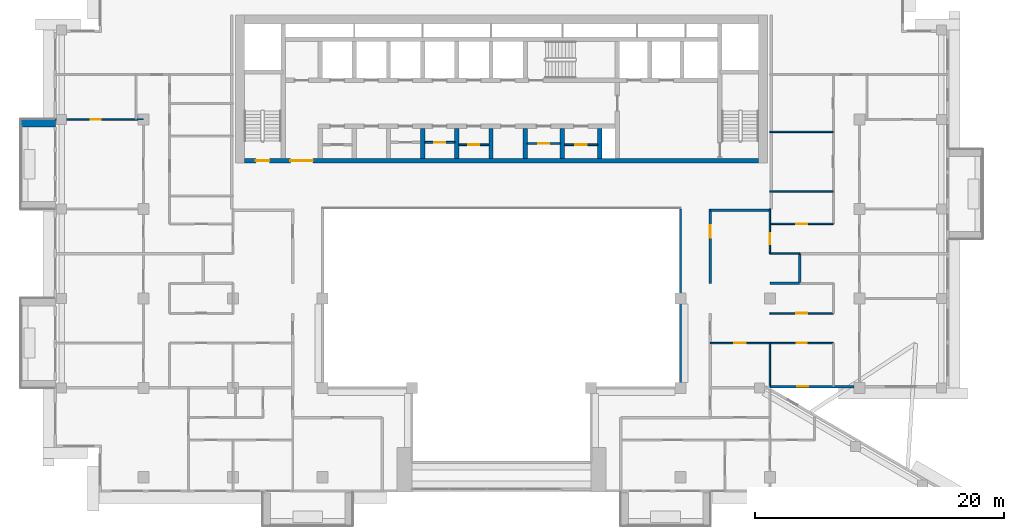
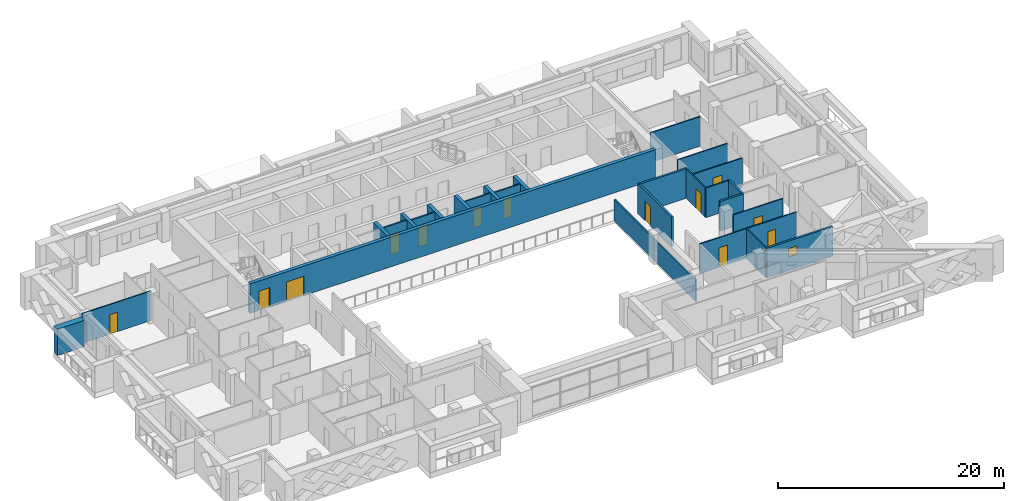
# One storey, part 9 of 20: 27 walls, 13 doors, 1 window, 14 openings.
"""IFC4 building model written with IfcOpenShell, lengths in metres."""

from ifc_helpers import new_model, si_unit, direction, frame, frame_2d, origin, place, context, subcontext, project, spatial, rectangle, extrude, material, layer, layer_set, type_object, element, fill, save


model = new_model("IFC4")

# Units and contexts
model_context = context("Model", 3, precision=1e-05, world=origin(), true_north=direction((0.0, 1.0)))
body_context = subcontext(model_context, "Body", "Model", "MODEL_VIEW")
ifc_project = project(units=[si_unit("LENGTHUNIT", "METRE"), si_unit("AREAUNIT", "SQUARE_METRE"), si_unit("VOLUMEUNIT", "CUBIC_METRE"), si_unit("PLANEANGLEUNIT", "RADIAN"), si_unit("MASSUNIT", "GRAM", prefix="KILO")], contexts=[model_context])

# Site, building, storey
site_placement = place(None, origin())
site = spatial("IfcSite", under=ifc_project, at=site_placement, CompositionType="ELEMENT")
building_placement = place(site_placement, origin())
building = spatial("IfcBuilding", under=site, at=building_placement, Name="Saffron Iwan Residences", CompositionType="ELEMENT")
storey_placement = place(building_placement, frame((0.0, 0.0, 174.5)))
storey = spatial("IfcBuildingStorey", under=building, at=storey_placement, Name="L46", CompositionType="ELEMENT", Elevation=174.5)

# Walls
ifc_material_1 = material(Name="Fire-rated glazing", Category="glass")
ifc_layer_1 = layer(ifc_material_1, 0.14990234375)
ifc_layer_set_1 = layer_set([ifc_layer_1], Name="Fire-rated glazing")
wall_type_1 = type_object("IfcWallType", Name="Atrium glazed screen 150", PredefinedType="SOLIDWALL", material=ifc_layer_set_1)
wall_1_placement = place(storey_placement, frame((64.800048828125, 48.0, 0.0), z_axis=(0.0, 0.0, 1.0), x_axis=(0.0, 1.0, 0.0)))
element("IfcWall", 1, at=wall_1_placement, inside=storey, type_object=wall_type_1, Name="W-L46-SCREEN-v64.8-48", PredefinedType="SOLIDWALL", context=body_context, shape_type="SweptSolid", body=[
    extrude(rectangle(XDim=14.39990234375, YDim=0.14990234375, at=frame_2d((7.199951171875, 0.0))), origin(), (0.0, 0.0, 1.0), 2.300048828125),
])
ifc_material_2 = material(Name="Concrete C50/60 white painted", Category="concrete")
ifc_layer_2 = layer(ifc_material_2, 0.60009765625)
ifc_layer_set_2 = layer_set([ifc_layer_2], Name="Concrete C50/60 white painted")
wall_type_2 = type_object("IfcWallType", Name="BALCONY FIN 600", PredefinedType="SOLIDWALL", material=ifc_layer_set_2)
wall_2_placement = place(storey_placement, frame((14.5, 69.300048828125, 0.0), z_axis=(0.0, 0.0, 1.0), x_axis=(-1.0, 0.0, 0.0)))
element("IfcWall", 2, at=wall_2_placement, inside=storey, type_object=wall_type_2, Name="Balcony fin L46 F8-0a", PredefinedType="SOLIDWALL", context=body_context, shape_type="SweptSolid", body=[
    extrude(rectangle(XDim=2.800048828125, YDim=0.60009765625, at=frame_2d((1.39990234375, 0.0))), origin(), (0.0, 0.0, 1.0), 2.85009765625),
])

# Wall, opening, door
ifc_material_3 = material(Name="Fire-rated plasterboard partition")
ifc_layer_3 = layer(ifc_material_3, 0.14990234375)
ifc_layer_set_3 = layer_set([ifc_layer_3], Name="Fire-rated plasterboard partition")
wall_type_3 = type_object("IfcWallType", Name="Core partition 150", PredefinedType="PARTITIONING", material=ifc_layer_set_3)
wall_3_placement = place(storey_placement, frame((44.22509765625, 67.759521484375, 0.0), z_axis=(0.0, 0.0, 1.0), x_axis=(1.0, 0.0, 0.0)))
wall_3 = element("IfcWall", 3, at=wall_3_placement, inside=storey, type_object=wall_type_3, Name="Core partition P03", PredefinedType="PARTITIONING", context=body_context, shape_type="SweptSolid", body=[
    extrude(rectangle(XDim=2.39990234375, YDim=0.14990234375, at=frame_2d((1.199951171875, 0.0))), origin(), (0.0, 0.0, 1.0), 3.199951171875),
])
opening_1_placement = place(wall_3_placement, frame((0.75, 0.0, 0.0)))
opening_1 = element("IfcOpeningElement", 4, at=opening_1_placement, cuts=wall_3, Name="Opening SB", PredefinedType="OPENING", context=body_context, shape_type="SweptSolid", body=[
    extrude(rectangle(XDim=0.89990234375, YDim=2.10009765625, at=frame_2d((0.449951171875, 1.050048828125))), frame((0.0, 0.0849609375, 0.0), z_axis=(0.0, -1.0, 0.0), x_axis=(1.0, 0.0, 0.0)), (0.0, 0.0, 1.0), 0.169921875),
])
ifc_material_4 = material(Name="Steel fire door", Category="steel")
door_type_1 = type_object("IfcDoorType", Name="Store door 900", OperationType="NOTDEFINED", PredefinedType="DOOR", material=ifc_material_4)
door_1_placement = place(opening_1_placement, origin())
door_1 = element("IfcDoor", 5, at=door_1_placement, inside=storey, type_object=door_type_1, Name="Door Battery room", OperationType="SINGLE_SWING_RIGHT", OverallHeight=2.10009765625, OverallWidth=0.89990234375, PredefinedType="DOOR", context=body_context, shape_type="SweptSolid", body=[
    extrude(rectangle(XDim=0.89990234375, YDim=2.10009765625, at=frame_2d((0.449951171875, 1.050048828125))), frame((0.0, 0.02490234375, 0.0), z_axis=(0.0, -1.0, 0.0), x_axis=(1.0, 0.0, 0.0)), (0.0, 0.0, 1.0), 0.050048828125),
])
fill(opening_1, door_1)

wall_4_placement = place(storey_placement, frame((46.97509765625, 67.5654296875, 0.0), z_axis=(0.0, 0.0, 1.0), x_axis=(1.0, 0.0, 0.0)))
wall_4 = element("IfcWall", 6, at=wall_4_placement, inside=storey, type_object=wall_type_3, Name="Core partition P04", PredefinedType="PARTITIONING", context=body_context, shape_type="SweptSolid", body=[
    extrude(rectangle(XDim=2.39990234375, YDim=0.14990234375, at=frame_2d((1.199951171875, 0.0))), origin(), (0.0, 0.0, 1.0), 3.199951171875),
])
opening_2_placement = place(wall_4_placement, frame((0.75, 0.0, 0.0)))
opening_2 = element("IfcOpeningElement", 7, at=opening_2_placement, cuts=wall_4, Name="Opening SB", PredefinedType="OPENING", context=body_context, shape_type="SweptSolid", body=[
    extrude(rectangle(XDim=0.89990234375, YDim=2.10009765625, at=frame_2d((0.449951171875, 1.050048828125))), frame((0.0, 0.0849609375, 0.0), z_axis=(0.0, -1.0, 0.0), x_axis=(1.0, 0.0, 0.0)), (0.0, 0.0, 1.0), 0.169921875),
])
door_2_placement = place(opening_2_placement, origin())
door_2 = element("IfcDoor", 8, at=door_2_placement, inside=storey, type_object=door_type_1, Name="Door Records store", OperationType="SINGLE_SWING_RIGHT", OverallHeight=2.10009765625, OverallWidth=0.89990234375, PredefinedType="DOOR", context=body_context, shape_type="SweptSolid", body=[
    extrude(rectangle(XDim=0.89990234375, YDim=2.10009765625, at=frame_2d((0.449951171875, 1.050048828125))), frame((0.0, 0.02490234375, 0.0), z_axis=(0.0, -1.0, 0.0), x_axis=(1.0, 0.0, 0.0)), (0.0, 0.0, 1.0), 0.050048828125),
])
fill(opening_2, door_2)

wall_5_placement = place(storey_placement, frame((52.47509765625, 67.66259765625, 0.0), z_axis=(0.0, 0.0, 1.0), x_axis=(1.0, 0.0, 0.0)))
wall_5 = element("IfcWall", 9, at=wall_5_placement, inside=storey, type_object=wall_type_3, Name="Core partition P05", PredefinedType="PARTITIONING", context=body_context, shape_type="SweptSolid", body=[
    extrude(rectangle(XDim=2.64990234375, YDim=0.14990234375, at=frame_2d((1.324951171875, 0.0))), origin(), (0.0, 0.0, 1.0), 3.199951171875),
])
opening_3_placement = place(wall_5_placement, frame((0.875, 0.0, 0.0)))
opening_3 = element("IfcOpeningElement", 10, at=opening_3_placement, cuts=wall_5, Name="Opening SB", PredefinedType="OPENING", context=body_context, shape_type="SweptSolid", body=[
    extrude(rectangle(XDim=0.89990234375, YDim=2.10009765625, at=frame_2d((0.449951171875, 1.050048828125))), frame((0.0, 0.0849609375, 0.0), z_axis=(0.0, -1.0, 0.0), x_axis=(1.0, 0.0, 0.0)), (0.0, 0.0, 1.0), 0.169921875),
])
door_3_placement = place(opening_3_placement, origin())
door_3 = element("IfcDoor", 11, at=door_3_placement, inside=storey, type_object=door_type_1, Name="Door Mop store", OperationType="SINGLE_SWING_LEFT", OverallHeight=2.10009765625, OverallWidth=0.89990234375, PredefinedType="DOOR", context=body_context, shape_type="SweptSolid", body=[
    extrude(rectangle(XDim=0.89990234375, YDim=2.10009765625, at=frame_2d((0.449951171875, 1.050048828125))), frame((0.0, 0.02490234375, 0.0), z_axis=(0.0, -1.0, 0.0), x_axis=(1.0, 0.0, 0.0)), (0.0, 0.0, 1.0), 0.050048828125),
])
fill(opening_3, door_3)

wall_6_placement = place(storey_placement, frame((55.47509765625, 67.5654296875, 0.0), z_axis=(0.0, 0.0, 1.0), x_axis=(1.0, 0.0, 0.0)))
wall_6 = element("IfcWall", 12, at=wall_6_placement, inside=storey, type_object=wall_type_3, Name="Core partition P06", PredefinedType="PARTITIONING", context=body_context, shape_type="SweptSolid", body=[
    extrude(rectangle(XDim=2.64990234375, YDim=0.14990234375, at=frame_2d((1.324951171875, 0.0))), origin(), (0.0, 0.0, 1.0), 3.199951171875),
])
opening_4_placement = place(wall_6_placement, frame((0.875, 0.0, 0.0)))
opening_4 = element("IfcOpeningElement", 13, at=opening_4_placement, cuts=wall_6, Name="Opening SB", PredefinedType="OPENING", context=body_context, shape_type="SweptSolid", body=[
    extrude(rectangle(XDim=0.89990234375, YDim=2.10009765625, at=frame_2d((0.449951171875, 1.050048828125))), frame((0.0, 0.0849609375, 0.0), z_axis=(0.0, -1.0, 0.0), x_axis=(1.0, 0.0, 0.0)), (0.0, 0.0, 1.0), 0.169921875),
])
door_4_placement = place(opening_4_placement, origin())
door_4 = element("IfcDoor", 14, at=door_4_placement, inside=storey, type_object=door_type_1, Name="Door Spares store", OperationType="SINGLE_SWING_RIGHT", OverallHeight=2.10009765625, OverallWidth=0.89990234375, PredefinedType="DOOR", context=body_context, shape_type="SweptSolid", body=[
    extrude(rectangle(XDim=0.89990234375, YDim=2.10009765625, at=frame_2d((0.449951171875, 1.050048828125))), frame((0.0, 0.02490234375, 0.0), z_axis=(0.0, -1.0, 0.0), x_axis=(1.0, 0.0, 0.0)), (0.0, 0.0, 1.0), 0.050048828125),
])
fill(opening_4, door_4)

# Wall, opening, window
ifc_material_5 = material(Name="Concrete C40/50", Category="concrete")
ifc_layer_4 = layer(ifc_material_5, 0.199951171875)
ifc_layer_set_4 = layer_set([ifc_layer_4], Name="Concrete C40/50")
wall_type_4 = type_object("IfcWallType", Name="EXTERNAL WALL 200", PredefinedType="SOLIDWALL", material=ifc_layer_set_4)
wall_7_placement = place(storey_placement, frame((71.989990234375, 48.10009765625, 0.0), z_axis=(0.0, 0.0, 1.0), x_axis=(1.0, 0.0, 0.0)))
wall_7 = element("IfcWall", 15, at=wall_7_placement, inside=storey, type_object=wall_type_4, Name="External wall L46 F1.0", PredefinedType="SOLIDWALL", context=body_context, shape_type="SweptSolid", body=[
    extrude(rectangle(XDim=6.760009765625, YDim=0.199951171875, at=frame_2d((3.3798828125, 0.0))), origin(), (0.0, 0.0, 1.0), 3.199951171875),
])
opening_5_placement = place(wall_7_placement, frame((2.204833984375, 0.0, 1.5)))
opening_5 = element("IfcOpeningElement", 16, at=opening_5_placement, cuts=wall_7, Name="Opening W6", PredefinedType="OPENING", context=body_context, shape_type="SweptSolid", body=[
    extrude(rectangle(XDim=0.89990234375, YDim=0.89990234375, at=frame_2d((0.449951171875, 0.449951171875))), frame((0.0, 0.10986328125, 0.0), z_axis=(0.0, -1.0, 0.0), x_axis=(1.0, 0.0, 0.0)), (0.0, 0.0, 1.0), 0.219970703125),
])
ifc_material_6 = material(Name="Clear glass, laminated double glazed", Category="glass")
window_type = type_object("IfcWindowType", Name="WINDOW 900 x 900 BATH", PartitioningType="SINGLE_PANEL", PredefinedType="WINDOW", material=ifc_material_6)
window_placement = place(opening_5_placement, origin())
window = element("IfcWindow", 17, at=window_placement, inside=storey, type_object=window_type, Name="Window L46 F1.0", OverallHeight=0.89990234375, OverallWidth=0.89990234375, PartitioningType="SINGLE_PANEL", PredefinedType="WINDOW", context=body_context, shape_type="SweptSolid", body=[
    extrude(rectangle(XDim=0.89990234375, YDim=0.89990234375, at=frame_2d((0.449951171875, 0.449951171875))), frame((0.0, 0.030029296875, 0.0), z_axis=(0.0, -1.0, 0.0), x_axis=(1.0, 0.0, 0.0)), (0.0, 0.0, 1.0), 0.06005859375),
])
fill(opening_5, window)

# Walls
ifc_material_7 = material(Name="Fire-rated gypsum board wall")
ifc_layer_5 = layer(ifc_material_7, 0.199951171875)
ifc_layer_set_5 = layer_set([ifc_layer_5], Name="Fire-rated gypsum board wall")
wall_type_5 = type_object("IfcWallType", Name="Flat demising wall 200", PredefinedType="SOLIDWALL", material=ifc_layer_set_5)
wall_8_placement = place(storey_placement, frame((72.0, 56.39990234375, 0.0), z_axis=(0.0, 0.0, 1.0), x_axis=(1.0, 0.0, 0.0)))
element("IfcWall", 18, at=wall_8_placement, inside=storey, type_object=wall_type_5, Name="W-L46-DEMISE-h56.4-72", PredefinedType="SOLIDWALL", context=body_context, shape_type="SweptSolid", body=[
    extrude(rectangle(XDim=2.39990234375, YDim=0.199951171875, at=frame_2d((1.199951171875, 0.0))), origin(), (0.0, 0.0, 1.0), 3.199951171875),
])
wall_9_placement = place(storey_placement, frame((74.39990234375, 56.39990234375, 0.0), z_axis=(0.0, 0.0, 1.0), x_axis=(0.0, 1.0, 0.0)))
element("IfcWall", 19, at=wall_9_placement, inside=storey, type_object=wall_type_5, Name="W-L46-DEMISE-v74.4-56.4", PredefinedType="SOLIDWALL", context=body_context, shape_type="SweptSolid", body=[
    extrude(rectangle(XDim=2.400146484375, YDim=0.199951171875, at=frame_2d((1.2001953125, 0.0))), origin(), (0.0, 0.0, 1.0), 3.199951171875),
])

# Wall, openings, doors
ifc_material_8 = material(Name="Gypsum board partition")
ifc_layer_6 = layer(ifc_material_8, 0.1201171875)
ifc_layer_set_6 = layer_set([ifc_layer_6], Name="Gypsum board partition")
wall_type_6 = type_object("IfcWallType", Name="Flat partition 120", PredefinedType="PARTITIONING", material=ifc_layer_set_6)
wall_10_placement = place(storey_placement, frame((67.199951171875, 51.60009765625, 0.0), z_axis=(0.0, 0.0, 1.0), x_axis=(1.0, 0.0, 0.0)))
wall_10 = element("IfcWall", 20, at=wall_10_placement, inside=storey, type_object=wall_type_6, Name="W-L46-PART-h51.6-67.2", PredefinedType="PARTITIONING", context=body_context, shape_type="SweptSolid", body=[
    extrude(rectangle(XDim=9.900146484375, YDim=0.1201171875, at=frame_2d((4.9501953125, 0.0))), origin(), (0.0, 0.0, 1.0), 3.199951171875),
])
opening_6_placement = place(wall_10_placement, frame((6.949951171875, 0.0, 0.0)))
opening_6 = element("IfcOpeningElement", 21, at=opening_6_placement, cuts=wall_10, Name="Opening FD3", PredefinedType="OPENING", context=body_context, shape_type="SweptSolid", body=[
    extrude(rectangle(XDim=0.800048828125, YDim=2.10009765625, at=frame_2d((0.39990234375, 1.050048828125))), frame((0.0, 0.070068359375, 0.0), z_axis=(0.0, -1.0, 0.0), x_axis=(1.0, 0.0, 0.0)), (0.0, 0.0, 1.0), 0.14013671875),
])
opening_7_placement = place(wall_10_placement, frame((1.949951171875, 0.0, 0.0)))
opening_7 = element("IfcOpeningElement", 22, at=opening_7_placement, cuts=wall_10, Name="Opening FD2", PredefinedType="OPENING", context=body_context, shape_type="SweptSolid", body=[
    extrude(rectangle(XDim=0.89990234375, YDim=2.10009765625, at=frame_2d((0.449951171875, 1.050048828125))), frame((0.0, 0.070068359375, 0.0), z_axis=(0.0, -1.0, 0.0), x_axis=(1.0, 0.0, 0.0)), (0.0, 0.0, 1.0), 0.14013671875),
])
ifc_material_9 = material(Name="Timber door", Category="wood")
door_type_2 = type_object("IfcDoorType", Name="Bathroom door 800", OperationType="NOTDEFINED", PredefinedType="DOOR", material=ifc_material_9)
door_5_placement = place(opening_6_placement, origin())
door_5 = element("IfcDoor", 23, at=door_5_placement, inside=storey, type_object=door_type_2, Name="Door L46-017", OperationType="SINGLE_SWING_LEFT", OverallHeight=2.10009765625, OverallWidth=0.800048828125, PredefinedType="DOOR", context=body_context, shape_type="SweptSolid", body=[
    extrude(rectangle(XDim=0.800048828125, YDim=2.10009765625, at=frame_2d((0.39990234375, 1.050048828125))), frame((0.0, 0.02490234375, 0.0), z_axis=(0.0, -1.0, 0.0), x_axis=(1.0, 0.0, 0.0)), (0.0, 0.0, 1.0), 0.050048828125),
])
fill(opening_6, door_5)
door_type_3 = type_object("IfcDoorType", Name="Flat door 900", OperationType="NOTDEFINED", PredefinedType="DOOR", material=ifc_material_9)
door_6_placement = place(opening_7_placement, origin())
door_6 = element("IfcDoor", 24, at=door_6_placement, inside=storey, type_object=door_type_3, Name="Door L46-019", OperationType="SINGLE_SWING_LEFT", OverallHeight=2.10009765625, OverallWidth=0.89990234375, PredefinedType="DOOR", context=body_context, shape_type="SweptSolid", body=[
    extrude(rectangle(XDim=0.89990234375, YDim=2.10009765625, at=frame_2d((0.449951171875, 1.050048828125))), frame((0.0, 0.02490234375, 0.0), z_axis=(0.0, -1.0, 0.0), x_axis=(1.0, 0.0, 0.0)), (0.0, 0.0, 1.0), 0.050048828125),
])
fill(opening_7, door_6)

# Wall, opening, door
wall_11_placement = place(storey_placement, frame((72.0, 54.0, 0.0), z_axis=(0.0, 0.0, 1.0), x_axis=(1.0, 0.0, 0.0)))
wall_11 = element("IfcWall", 25, at=wall_11_placement, inside=storey, type_object=wall_type_6, Name="W-L46-PART-h54-72", PredefinedType="PARTITIONING", context=body_context, shape_type="SweptSolid", body=[
    extrude(rectangle(XDim=5.10009765625, YDim=0.1201171875, at=frame_2d((2.550048828125, 0.0))), origin(), (0.0, 0.0, 1.0), 3.199951171875),
])
opening_8_placement = place(wall_11_placement, frame((2.10009765625, 0.0, 0.0)))
opening_8 = element("IfcOpeningElement", 26, at=opening_8_placement, cuts=wall_11, Name="Opening FD2", PredefinedType="OPENING", context=body_context, shape_type="SweptSolid", body=[
    extrude(rectangle(XDim=0.89990234375, YDim=2.10009765625, at=frame_2d((0.449951171875, 1.050048828125))), frame((0.0, 0.070068359375, 0.0), z_axis=(0.0, -1.0, 0.0), x_axis=(1.0, 0.0, 0.0)), (0.0, 0.0, 1.0), 0.14013671875),
])
door_7_placement = place(opening_8_placement, origin())
door_7 = element("IfcDoor", 27, at=door_7_placement, inside=storey, type_object=door_type_3, Name="Door L46-018", OperationType="SINGLE_SWING_RIGHT", OverallHeight=2.10009765625, OverallWidth=0.89990234375, PredefinedType="DOOR", context=body_context, shape_type="SweptSolid", body=[
    extrude(rectangle(XDim=0.89990234375, YDim=2.10009765625, at=frame_2d((0.449951171875, 1.050048828125))), frame((0.0, 0.02490234375, 0.0), z_axis=(0.0, -1.0, 0.0), x_axis=(1.0, 0.0, 0.0)), (0.0, 0.0, 1.0), 0.050048828125),
])
fill(opening_8, door_7)

# Wall
wall_12_placement = place(storey_placement, frame((72.0, 58.800048828125, 0.0), z_axis=(0.0, 0.0, 1.0), x_axis=(1.0, 0.0, 0.0)))
element("IfcWall", 28, at=wall_12_placement, inside=storey, type_object=wall_type_6, Name="W-L46-PART-h58.8-72", PredefinedType="PARTITIONING", context=body_context, shape_type="SweptSolid", body=[
    extrude(rectangle(XDim=2.39990234375, YDim=0.1201171875, at=frame_2d((1.199951171875, 0.0))), origin(), (0.0, 0.0, 1.0), 3.199951171875),
])

# Wall, opening, door
wall_13_placement = place(storey_placement, frame((72.0, 61.199951171875, 0.0), z_axis=(0.0, 0.0, 1.0), x_axis=(1.0, 0.0, 0.0)))
wall_13 = element("IfcWall", 29, at=wall_13_placement, inside=storey, type_object=wall_type_6, Name="W-L46-PART-h61.2-72", PredefinedType="PARTITIONING", context=body_context, shape_type="SweptSolid", body=[
    extrude(rectangle(XDim=5.10009765625, YDim=0.1201171875, at=frame_2d((2.550048828125, 0.0))), origin(), (0.0, 0.0, 1.0), 3.199951171875),
])
opening_9_placement = place(wall_13_placement, frame((2.10009765625, 0.0, 0.0)))
opening_9 = element("IfcOpeningElement", 30, at=opening_9_placement, cuts=wall_13, Name="Opening FD2", PredefinedType="OPENING", context=body_context, shape_type="SweptSolid", body=[
    extrude(rectangle(XDim=0.89990234375, YDim=2.10009765625, at=frame_2d((0.449951171875, 1.050048828125))), frame((0.0, 0.070068359375, 0.0), z_axis=(0.0, -1.0, 0.0), x_axis=(1.0, 0.0, 0.0)), (0.0, 0.0, 1.0), 0.14013671875),
])
door_8_placement = place(opening_9_placement, origin())
door_8 = element("IfcDoor", 31, at=door_8_placement, inside=storey, type_object=door_type_3, Name="Door L46-036", OperationType="SINGLE_SWING_RIGHT", OverallHeight=2.10009765625, OverallWidth=0.89990234375, PredefinedType="DOOR", context=body_context, shape_type="SweptSolid", body=[
    extrude(rectangle(XDim=0.89990234375, YDim=2.10009765625, at=frame_2d((0.449951171875, 1.050048828125))), frame((0.0, 0.02490234375, 0.0), z_axis=(0.0, -1.0, 0.0), x_axis=(1.0, 0.0, 0.0)), (0.0, 0.0, 1.0), 0.050048828125),
])
fill(opening_9, door_8)

# Walls
for number, where, z_axis, x_axis, name in (
    (32, (72.0, 63.800048828125, 0.0), (0.0, 0.0, 1.0), (1.0, 0.0, 0.0), "W-L46-PART-h63.8-72"),
    (33, (72.0, 68.60009765625, 0.0), (0.0, 0.0, 1.0), (1.0, 0.0, 0.0), "W-L46-PART-h68.6-72"),
):
    element("IfcWall", number, at=place(storey_placement, frame(where, z_axis=z_axis, x_axis=x_axis)), inside=storey, type_object=wall_type_6, Name=name, PredefinedType="PARTITIONING", context=body_context, shape_type="SweptSolid", body=[
        extrude(rectangle(XDim=5.10009765625, YDim=0.1201171875, at=frame_2d((2.550048828125, 0.0))), origin(), (0.0, 0.0, 1.0), 3.199951171875),
    ])

# Wall, opening, door
wall_14_placement = place(storey_placement, frame((14.52490234375, 69.60009765625, 0.0), z_axis=(0.0, 0.0, 1.0), x_axis=(1.0, 0.0, 0.0)))
wall_14 = element("IfcWall", 34, at=wall_14_placement, inside=storey, type_object=wall_type_6, Name="W-L46-PART-h69.6-14.525", PredefinedType="PARTITIONING", context=body_context, shape_type="SweptSolid", body=[
    extrude(rectangle(XDim=7.0751953125, YDim=0.1201171875, at=frame_2d((3.53759765625, 0.0))), origin(), (0.0, 0.0, 1.0), 3.199951171875),
])
opening_10_placement = place(wall_14_placement, frame((2.83740234375, 0.0, 0.0)))
opening_10 = element("IfcOpeningElement", 35, at=opening_10_placement, cuts=wall_14, Name="Opening FD3", PredefinedType="OPENING", context=body_context, shape_type="SweptSolid", body=[
    extrude(rectangle(XDim=0.800048828125, YDim=2.10009765625, at=frame_2d((0.39990234375, 1.050048828125))), frame((0.0, 0.070068359375, 0.0), z_axis=(0.0, -1.0, 0.0), x_axis=(1.0, 0.0, 0.0)), (0.0, 0.0, 1.0), 0.14013671875),
])
door_9_placement = place(opening_10_placement, origin())
door_9 = element("IfcDoor", 36, at=door_9_placement, inside=storey, type_object=door_type_2, Name="Door L46-024", OperationType="SINGLE_SWING_RIGHT", OverallHeight=2.10009765625, OverallWidth=0.800048828125, PredefinedType="DOOR", context=body_context, shape_type="SweptSolid", body=[
    extrude(rectangle(XDim=0.800048828125, YDim=2.10009765625, at=frame_2d((0.39990234375, 1.050048828125))), frame((0.0, 0.02490234375, 0.0), z_axis=(0.0, -1.0, 0.0), x_axis=(1.0, 0.0, 0.0)), (0.0, 0.0, 1.0), 0.050048828125),
])
fill(opening_10, door_9)

# Wall
wall_15_placement = place(storey_placement, frame((72.0, 48.125, 0.0), z_axis=(0.0, 0.0, 1.0), x_axis=(0.0, 1.0, 0.0)))
element("IfcWall", 37, at=wall_15_placement, inside=storey, type_object=wall_type_6, Name="W-L46-PART-v72-48.125", PredefinedType="PARTITIONING", context=body_context, shape_type="SweptSolid", body=[
    extrude(rectangle(XDim=3.47509765625, YDim=0.1201171875, at=frame_2d((1.737548828125, 0.0))), origin(), (0.0, 0.0, 1.0), 3.199951171875),
])

# Wall, opening, door
wall_16_placement = place(storey_placement, frame((72.0, 58.800048828125, 0.0), z_axis=(0.0, 0.0, 1.0), x_axis=(0.0, 1.0, 0.0)))
wall_16 = element("IfcWall", 38, at=wall_16_placement, inside=storey, type_object=wall_type_6, Name="W-L46-PART-v72-58.8", PredefinedType="PARTITIONING", context=body_context, shape_type="SweptSolid", body=[
    extrude(rectangle(XDim=3.599853515625, YDim=0.1201171875, at=frame_2d((1.7998046875, 0.0))), origin(), (0.0, 0.0, 1.0), 3.199951171875),
])
opening_11_placement = place(wall_16_placement, frame((0.75, 0.0, 0.0)))
opening_11 = element("IfcOpeningElement", 39, at=opening_11_placement, cuts=wall_16, Name="Opening FD2", PredefinedType="OPENING", context=body_context, shape_type="SweptSolid", body=[
    extrude(rectangle(XDim=0.89990234375, YDim=2.10009765625, at=frame_2d((0.449951171875, 1.050048828125))), frame((0.0, 0.070068359375, 0.0), z_axis=(0.0, -1.0, 0.0), x_axis=(1.0, 0.0, 0.0)), (0.0, 0.0, 1.0), 0.14013671875),
])
door_10_placement = place(opening_11_placement, origin())
door_10 = element("IfcDoor", 40, at=door_10_placement, inside=storey, type_object=door_type_3, Name="Door L46-030", OperationType="SINGLE_SWING_RIGHT", OverallHeight=2.10009765625, OverallWidth=0.89990234375, PredefinedType="DOOR", context=body_context, shape_type="SweptSolid", body=[
    extrude(rectangle(XDim=0.89990234375, YDim=2.10009765625, at=frame_2d((0.449951171875, 1.050048828125))), frame((0.0, 0.02490234375, 0.0), z_axis=(0.0, -1.0, 0.0), x_axis=(1.0, 0.0, 0.0)), (0.0, 0.0, 1.0), 0.050048828125),
])
fill(opening_11, door_10)

# Wall
ifc_layer_7 = layer(ifc_material_7, 0.199951171875)
ifc_layer_set_7 = layer_set([ifc_layer_7], Name="Fire-rated gypsum board wall")
wall_type_7 = type_object("IfcWallType", Name="Gallery wall 200", PredefinedType="SOLIDWALL", material=ifc_layer_set_7)
wall_17_placement = place(storey_placement, frame((67.199951171875, 62.300048828125, 0.0), z_axis=(0.0, 0.0, 1.0), x_axis=(1.0, 0.0, 0.0)))
element("IfcWall", 41, at=wall_17_placement, inside=storey, type_object=wall_type_7, Name="W-L46-CORR-h62.4-67.2", PredefinedType="SOLIDWALL", context=body_context, shape_type="SweptSolid", body=[
    extrude(rectangle(XDim=4.800048828125, YDim=0.199951171875, at=frame_2d((2.39990234375, 0.0))), origin(), (0.0, 0.0, 1.0), 3.199951171875),
])

# Wall, opening, door
wall_18_placement = place(storey_placement, frame((67.199951171875, 56.39990234375, 0.0), z_axis=(0.0, 0.0, 1.0), x_axis=(0.0, 1.0, 0.0)))
wall_18 = element("IfcWall", 42, at=wall_18_placement, inside=storey, type_object=wall_type_7, Name="W-L46-CORR-v67.2-56.4", PredefinedType="SOLIDWALL", context=body_context, shape_type="SweptSolid", body=[
    extrude(rectangle(XDim=6.0, YDim=0.199951171875, at=frame_2d((3.0, 0.0))), origin(), (0.0, 0.0, 1.0), 3.199951171875),
])
opening_12_placement = place(wall_18_placement, frame((3.699951171875, 0.0, 0.0)))
opening_12 = element("IfcOpeningElement", 43, at=opening_12_placement, cuts=wall_18, Name="Opening FD5", PredefinedType="OPENING", context=body_context, shape_type="SweptSolid", body=[
    extrude(rectangle(XDim=1.0, YDim=2.10009765625, at=frame_2d((0.5, 1.050048828125))), frame((0.0, 0.10986328125, 0.0), z_axis=(0.0, -1.0, 0.0), x_axis=(1.0, 0.0, 0.0)), (0.0, 0.0, 1.0), 0.219970703125),
])
ifc_material_10 = material(Name="Fire-rated timber door", Category="wood")
door_type_4 = type_object("IfcDoorType", Name="Lobby door 1000", OperationType="NOTDEFINED", PredefinedType="DOOR", material=ifc_material_10)
door_11_placement = place(opening_12_placement, origin())
door_11 = element("IfcDoor", 44, at=door_11_placement, inside=storey, type_object=door_type_4, Name="Door L46-031", OperationType="SINGLE_SWING_LEFT", OverallHeight=2.10009765625, OverallWidth=1.0, PredefinedType="DOOR", context=body_context, shape_type="SweptSolid", body=[
    extrude(rectangle(XDim=1.0, YDim=2.10009765625, at=frame_2d((0.5, 1.050048828125))), frame((0.0, 0.02490234375, 0.0), z_axis=(0.0, -1.0, 0.0), x_axis=(1.0, 0.0, 0.0)), (0.0, 0.0, 1.0), 0.050048828125),
])
fill(opening_12, door_11)

# Wall, openings, doors
ifc_material_11 = material(Name="Concrete C50/60", Category="concrete")
ifc_layer_8 = layer(ifc_material_11, 0.35009765625)
ifc_layer_set_8 = layer_set([ifc_layer_8], Name="Concrete C50/60")
wall_type_8 = type_object("IfcWallType", Name="WALL CORE 350 C50/60 3200 HIGH", PredefinedType="SHEAR", material=ifc_layer_set_8)
wall_19_placement = place(storey_placement, frame((29.699951171875, 66.27490234375, 0.0), z_axis=(0.0, 0.0, 1.0), x_axis=(1.0, 0.0, 0.0)))
wall_19 = element("IfcWall", 45, at=wall_19_placement, inside=storey, type_object=wall_type_8, Name="Core wall", PredefinedType="SHEAR", context=body_context, shape_type="SweptSolid", body=[
    extrude(rectangle(XDim=41.400146484375, YDim=0.35009765625, at=frame_2d((20.7001953125, 0.0))), origin(), (0.0, 0.0, 1.0), 3.199951171875),
])
opening_13_placement = place(wall_19_placement, frame((0.925048828125, 0.0, 0.0)))
opening_13 = element("IfcOpeningElement", 46, at=opening_13_placement, cuts=wall_19, Name="Opening SD", PredefinedType="OPENING", context=body_context, shape_type="SweptSolid", body=[
    extrude(rectangle(XDim=1.10009765625, YDim=2.10009765625, at=frame_2d((0.550048828125, 1.050048828125))), frame((0.0, 0.18505859375, 0.0), z_axis=(0.0, -1.0, 0.0), x_axis=(1.0, 0.0, 0.0)), (0.0, 0.0, 1.0), 0.3701171875),
])
opening_14_placement = place(wall_19_placement, frame((3.71240234375, 0.0, 0.0)))
opening_14 = element("IfcOpeningElement", 47, at=opening_14_placement, cuts=wall_19, Name="Opening DD", PredefinedType="OPENING", context=body_context, shape_type="SweptSolid", body=[
    extrude(rectangle(XDim=1.800048828125, YDim=2.10009765625, at=frame_2d((0.89990234375, 1.050048828125))), frame((0.0, 0.18505859375, 0.0), z_axis=(0.0, -1.0, 0.0), x_axis=(1.0, 0.0, 0.0)), (0.0, 0.0, 1.0), 0.3701171875),
])
door_type_5 = type_object("IfcDoorType", Name="Lobby double door 1800", OperationType="DOUBLE_DOOR_SINGLE_SWING", PredefinedType="DOOR", material=ifc_material_4)
door_12_placement = place(opening_14_placement, origin())
door_12 = element("IfcDoor", 48, at=door_12_placement, inside=storey, type_object=door_type_5, Name="Lobby doors", OperationType="DOUBLE_DOOR_SINGLE_SWING", OverallHeight=2.10009765625, OverallWidth=1.800048828125, PredefinedType="DOOR", context=body_context, shape_type="SweptSolid", body=[
    extrude(rectangle(XDim=1.800048828125, YDim=2.10009765625, at=frame_2d((0.89990234375, 1.050048828125))), frame((0.0, 0.02490234375, 0.0), z_axis=(0.0, -1.0, 0.0), x_axis=(1.0, 0.0, 0.0)), (0.0, 0.0, 1.0), 0.050048828125),
])
fill(opening_14, door_12)
door_type_6 = type_object("IfcDoorType", Name="Stair door 1100", OperationType="NOTDEFINED", PredefinedType="DOOR", material=ifc_material_4)
door_13_placement = place(opening_13_placement, origin())
door_13 = element("IfcDoor", 49, at=door_13_placement, inside=storey, type_object=door_type_6, Name="Stair door ST-W", OperationType="SINGLE_SWING_LEFT", OverallHeight=2.10009765625, OverallWidth=1.10009765625, PredefinedType="DOOR", context=body_context, shape_type="SweptSolid", body=[
    extrude(rectangle(XDim=1.10009765625, YDim=2.10009765625, at=frame_2d((0.550048828125, 1.050048828125))), frame((0.0, 0.02490234375, 0.0), z_axis=(0.0, -1.0, 0.0), x_axis=(1.0, 0.0, 0.0)), (0.0, 0.0, 1.0), 0.050048828125),
])
fill(opening_13, door_13)

# Walls
for number, where, z_axis, x_axis, name in (
    (50, (44.050048828125, 66.449951171875, 0.0), (0.0, 0.0, 1.0), (0.0, 1.0, 0.0), "Core wall"),
    (51, (46.800048828125, 66.449951171875, 0.0), (0.0, 0.0, 1.0), (0.0, 1.0, 0.0), "Core wall"),
    (52, (49.550048828125, 66.449951171875, 0.0), (0.0, 0.0, 1.0), (0.0, 1.0, 0.0), "Core wall"),
    (53, (52.300048828125, 66.449951171875, 0.0), (0.0, 0.0, 1.0), (0.0, 1.0, 0.0), "Core wall"),
    (54, (55.300048828125, 66.449951171875, 0.0), (0.0, 0.0, 1.0), (0.0, 1.0, 0.0), "Core wall"),
    (55, (58.300048828125, 66.449951171875, 0.0), (0.0, 0.0, 1.0), (0.0, 1.0, 0.0), "Core wall"),
):
    element("IfcWall", number, at=place(storey_placement, frame(where, z_axis=z_axis, x_axis=x_axis)), inside=storey, type_object=wall_type_8, Name=name, PredefinedType="SHEAR", context=body_context, shape_type="SweptSolid", body=[
        extrude(rectangle(XDim=2.425048828125, YDim=0.35009765625, at=frame_2d((1.21240234375, 0.0))), origin(), (0.0, 0.0, 1.0), 3.199951171875),
    ])

save(model, "model.ifc")
